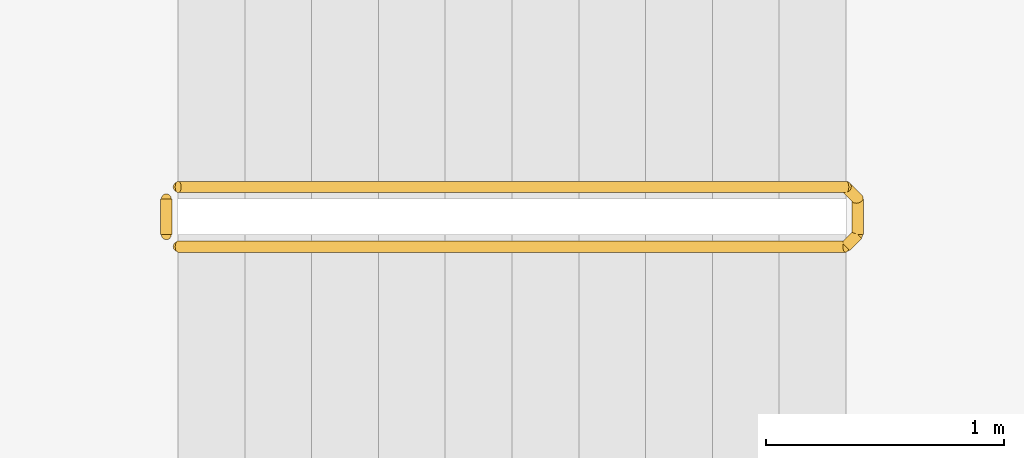
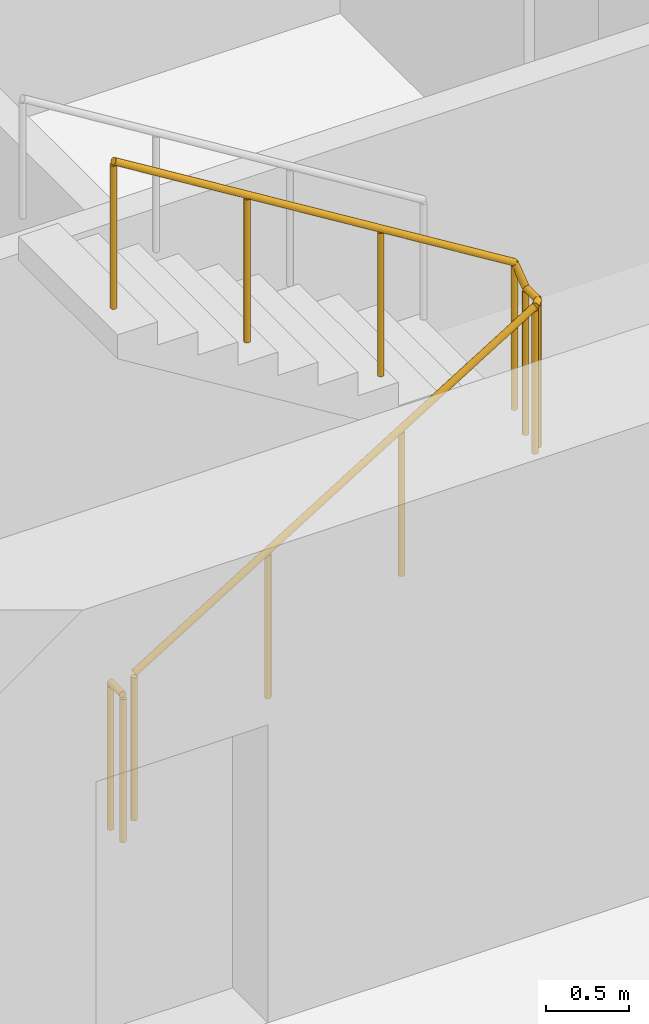
# One storey, part 9 of 13: 2 railings.
"""IFC4 building model written with IfcOpenShell, lengths in metres."""

from ifc_helpers import new_model, si_unit, direction, frame, origin, origin_2d, place, context, subcontext, project, spatial, circle, extrude, material, type_object, element, save


model = new_model("IFC4")

# Units and contexts
model_context = context("Model", 3, precision=1e-05, world=origin(), true_north=direction((0.0, 1.0)))
body_context = subcontext(model_context, "Body", "Model", "MODEL_VIEW")
ifc_project = project(units=[si_unit("LENGTHUNIT", "METRE"), si_unit("AREAUNIT", "SQUARE_METRE"), si_unit("VOLUMEUNIT", "CUBIC_METRE"), si_unit("PLANEANGLEUNIT", "RADIAN"), si_unit("MASSUNIT", "GRAM", prefix="KILO")], contexts=[model_context])

# Site, building, storey
site_placement = place(None, origin())
site = spatial("IfcSite", under=ifc_project, at=site_placement, CompositionType="ELEMENT")
building_placement = place(site_placement, origin())
building = spatial("IfcBuilding", under=site, at=building_placement, Name="Orbiselva Terraces", CompositionType="ELEMENT")
storey_placement = place(building_placement, frame((0.0, 0.0, 99.8)))
storey = spatial("IfcBuildingStorey", under=building, at=storey_placement, Name="L25", CompositionType="ELEMENT", Elevation=99.8)

# Railings
ifc_material = material(Name="Stainless steel", Category="steel")
railing_type = type_object("IfcRailingType", Name="CORE-GUARD-1100", PredefinedType="GUARDRAIL", material=ifc_material)
railing_1_placement = place(storey_placement, frame((-7.15, 6.55, 0.172727)))
element("IfcRailing", 1, at=railing_1_placement, inside=storey, type_object=railing_type, Name="L25 S3 stair guard 1", PredefinedType="GUARDRAIL", context=body_context, shape_type="SweptSolid", body=[
    extrude(circle(Radius=0.024, at=origin_2d()), frame((0.0, 0.0, 1.081), z_axis=(0.851088519012, 0.0, 0.52502222125), x_axis=(0.0, 1.0, 0.0)), (0.0, 0.0, 1.0), 3.289905),
    extrude(circle(Radius=0.024, at=origin_2d()), frame((2.8, 0.0, 2.808273), z_axis=(0.707106781187, 0.707106781187, 0.0), x_axis=(-0.707106781187, 0.707106781187, 0.0)), (0.0, 0.0, 1.0), 0.070711),
    extrude(circle(Radius=0.024, at=origin_2d()), frame((2.85, 0.05, 2.808273), z_axis=(0.0, 1.0, 0.0), x_axis=(-1.0, 0.0, 0.0)), (0.0, 0.0, 1.0), 0.15),
    extrude(circle(Radius=0.024, at=origin_2d()), frame((2.85, 0.2, 2.808273), z_axis=(-0.267894925557, 0.267894925557, 0.925453736133), x_axis=(-0.707106781187, -0.707106781187, 0.0)), (0.0, 0.0, 1.0), 0.18664),
    extrude(circle(Radius=0.024, at=origin_2d()), frame((2.8, 0.25, 2.981), z_axis=(-0.851088519012, 0.0, 0.52502222125), x_axis=(0.0, -1.0, 0.0)), (0.0, 0.0, 1.0), 3.289905),
    extrude(circle(Radius=0.021, at=origin_2d()), origin(), (0.0, 0.0, 1.0), 1.057),
    extrude(circle(Radius=0.021, at=origin_2d()), frame((0.933333, 0.0, 0.575758)), (0.0, 0.0, 1.0), 1.057),
    extrude(circle(Radius=0.021, at=origin_2d()), frame((1.866667, 0.0, 1.151515)), (0.0, 0.0, 1.0), 1.057),
    extrude(circle(Radius=0.021, at=origin_2d()), frame((2.8, 0.0, 1.727273)), (0.0, 0.0, 1.0), 1.057),
    extrude(circle(Radius=0.021, at=origin_2d()), frame((2.85, 0.05, 1.727273)), (0.0, 0.0, 1.0), 1.057),
    extrude(circle(Radius=0.021, at=origin_2d()), frame((2.85, 0.2, 1.727273)), (0.0, 0.0, 1.0), 1.057),
    extrude(circle(Radius=0.021, at=origin_2d()), frame((2.8, 0.25, 1.9)), (0.0, 0.0, 1.0), 1.057),
    extrude(circle(Radius=0.021, at=origin_2d()), frame((1.866667, 0.25, 2.475758)), (0.0, 0.0, 1.0), 1.057),
    extrude(circle(Radius=0.021, at=origin_2d()), frame((0.933333, 0.25, 3.051515)), (0.0, 0.0, 1.0), 1.057),
    extrude(circle(Radius=0.021, at=origin_2d()), frame((0.0, 0.25, 3.627273)), (0.0, 0.0, 1.0), 1.057),
])
railing_2_placement = place(storey_placement, frame((-7.2, 6.6, 0.0)))
element("IfcRailing", 2, at=railing_2_placement, inside=storey, type_object=railing_type, Name="L25 S3 stair guard 2", PredefinedType="GUARDRAIL", context=body_context, shape_type="SweptSolid", body=[
    extrude(circle(Radius=0.024, at=origin_2d()), frame((0.0, 0.0, 1.081), z_axis=(0.0, 1.0, 0.0), x_axis=(-1.0, 0.0, 0.0)), (0.0, 0.0, 1.0), 0.15),
    extrude(circle(Radius=0.021, at=origin_2d()), origin(), (0.0, 0.0, 1.0), 1.057),
    extrude(circle(Radius=0.021, at=origin_2d()), frame((0.0, 0.15, 0.0)), (0.0, 0.0, 1.0), 1.057),
])

save(model, "model.ifc")
